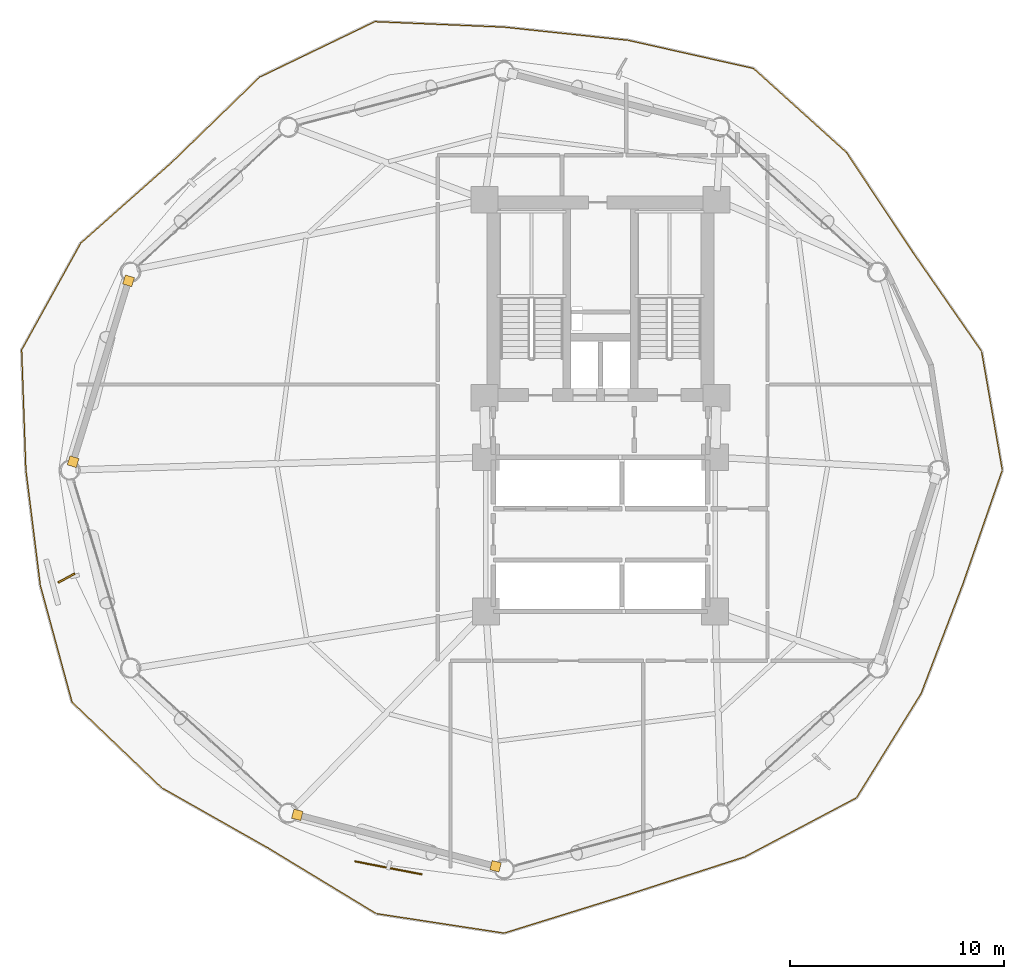
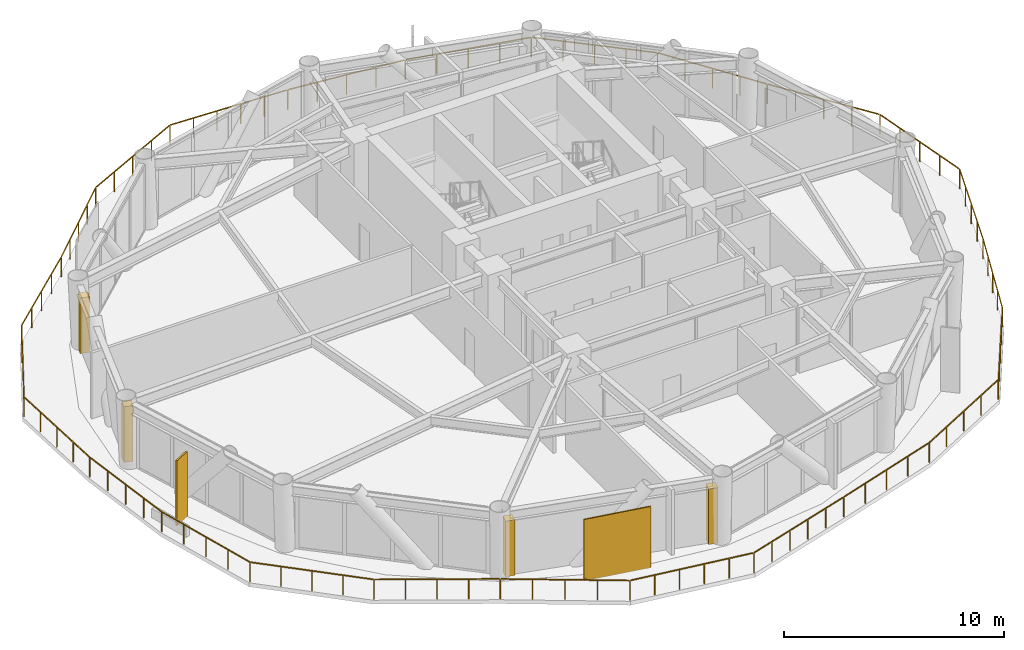
# One storey, part 21 of 23: 4 coverings, 2 shading devices, 1 railing.
"""IFC4 building model written with IfcOpenShell, lengths in metres."""

from ifc_helpers import new_model, si_unit, direction, frame, origin, origin_2d, place, context, subcontext, project, spatial, rectangle, extrude, source, transform, mapped, material, layer, layer_set, type_object, type_shapes, element, save


model = new_model("IFC4")

# Units and contexts
model_context = context("Model", 3, precision=1e-05, world=origin(), true_north=direction((0.0, 1.0)))
body_context = subcontext(model_context, "Body", "Model", "MODEL_VIEW")
ifc_project = project(units=[si_unit("LENGTHUNIT", "METRE"), si_unit("AREAUNIT", "SQUARE_METRE"), si_unit("VOLUMEUNIT", "CUBIC_METRE"), si_unit("PLANEANGLEUNIT", "RADIAN"), si_unit("MASSUNIT", "GRAM", prefix="KILO")], contexts=[model_context])

# Site, building, storey
site_placement = place(None, origin())
site = spatial("IfcSite", under=ifc_project, at=site_placement, CompositionType="ELEMENT")
building_placement = place(site_placement, origin())
building = spatial("IfcBuilding", under=site, at=building_placement, Name="Varnakorn Sky Granary", CompositionType="ELEMENT")
storey_placement = place(building_placement, frame((0.0, 0.0, 31.5)))
storey = spatial("IfcBuildingStorey", under=building, at=storey_placement, Name="L07", CompositionType="ELEMENT", Elevation=31.5)

# Railing
ifc_material = material(Name="Anodised Bronze Aluminium Alloy 6063-T6", Category="aluminium")
railing_type = type_object("IfcRailingType", Name="RL-BAL-1120", PredefinedType="BALUSTRADE", material=ifc_material)
railing_placement = place(storey_placement, frame((21.754638671875, 0.0, 0.0)))
element("IfcRailing", 1, at=railing_placement, inside=storey, type_object=railing_type, Name="Wavy Growing Deck Guard Balustrade L07", PredefinedType="BALUSTRADE", context=body_context, shape_type="SweptSolid", body=[
    extrude(rectangle(XDim=0.048095703125, YDim=0.048095703125, at=origin_2d()), frame((-0.0048828125, 0.027587890625, 1.09619140625), z_axis=(-0.171880830633, 0.985117749338, 0.0), x_axis=(-0.985117749338, -0.171880830633, 0.0)), (0.0, 0.0, 1.0), 5.575927734375),
    extrude(rectangle(XDim=0.048095703125, YDim=0.048095703125, at=origin_2d()), frame((-0.98388671875, 5.571044921875, 1.09619140625), z_axis=(-0.570288097111, 0.821444755473, 0.0), x_axis=(-0.821444755473, -0.570288097111, 0.0)), (0.0, 0.0, 1.0), 5.59375),
    extrude(rectangle(XDim=0.048095703125, YDim=0.048095703125, at=origin_2d()), frame((-4.205322265625, 10.21240234375, 1.09619140625), z_axis=(-0.553242326568, 0.833020364753, 0.0), x_axis=(-0.833020364753, -0.553242326568, 0.0)), (0.0, 0.0, 1.0), 5.51220703125),
    extrude(rectangle(XDim=0.048095703125, YDim=0.048095703125, at=origin_2d()), frame((-7.291259765625, 14.84619140625, 1.09619140625), z_axis=(-0.742004204153, 0.670395227474, 0.0), x_axis=(-0.670395227474, -0.742004204153, 0.0)), (0.0, 0.0, 1.0), 5.79443359375),
    extrude(rectangle(XDim=0.048095703125, YDim=0.048095703125, at=origin_2d()), frame((-11.638916015625, 18.755615234375, 1.09619140625), z_axis=(-0.975632446542, 0.219411324354, 0.0), x_axis=(-0.219411324354, -0.975632446542, 0.0)), (0.0, 0.0, 1.0), 5.93359375),
    extrude(rectangle(XDim=0.048095703125, YDim=0.048095703125, at=origin_2d()), frame((-17.483154296875, 20.066650390625, 1.09619140625), z_axis=(-0.994415397719, 0.105536802966, 0.0), x_axis=(-0.105536802966, -0.994415397719, 0.0)), (0.0, 0.0, 1.0), 5.77587890625),
    extrude(rectangle(XDim=0.048095703125, YDim=0.048095703125, at=origin_2d()), frame((-23.28271484375, 20.680419921875, 1.09619140625), z_axis=(-0.999105243841, 0.042293164106, 0.0), x_axis=(-0.042293164106, -0.999105243841, 0.0)), (0.0, 0.0, 1.0), 5.982177734375),
    extrude(rectangle(XDim=0.048095703125, YDim=0.048095703125, at=origin_2d()), frame((-29.3125, 20.92236328125, 1.09619140625), z_axis=(-0.900988048042, -0.433843908894, 0.0), x_axis=(0.433843908894, -0.900988048042, 0.0)), (0.0, 0.0, 1.0), 5.911865234375),
    extrude(rectangle(XDim=0.048095703125, YDim=0.048095703125, at=origin_2d()), frame((-34.684326171875, 18.325927734375, 1.09619140625), z_axis=(-0.71777568911, -0.696274414381, 0.0), x_axis=(0.696274414381, -0.71777568911, 0.0)), (0.0, 0.0, 1.0), 5.666748046875),
    extrude(rectangle(XDim=0.048095703125, YDim=0.048095703125, at=origin_2d()), frame((-38.79296875, 14.34228515625, 1.09619140625), z_axis=(-0.748089786911, -0.663597521635, 0.0), x_axis=(0.663597521635, -0.748089786911, 0.0)), (0.0, 0.0, 1.0), 5.621826171875),
    extrude(rectangle(XDim=0.048095703125, YDim=0.048095703125, at=origin_2d()), frame((-43.032958984375, 10.568603515625, 1.09619140625), z_axis=(-0.483879739651, -0.875134502551, 0.0), x_axis=(0.875134502551, -0.483879739651, 0.0)), (0.0, 0.0, 1.0), 5.63720703125),
    extrude(rectangle(XDim=0.048095703125, YDim=0.048095703125, at=origin_2d()), frame((-45.7734375, 5.58251953125, 1.09619140625), z_axis=(0.035354933544, -0.999374818911, 0.0), x_axis=(0.999374818911, 0.035354933544, 0.0)), (0.0, 0.0, 1.0), 5.55810546875),
    extrude(rectangle(XDim=0.048095703125, YDim=0.048095703125, at=origin_2d()), frame((-45.572509765625, -0.02783203125, 1.09619140625), z_axis=(0.124073548632, -0.992273024187, 0.0), x_axis=(0.992273024187, 0.124073548632, 0.0)), (0.0, 0.0, 1.0), 5.363037109375),
    extrude(rectangle(XDim=0.048095703125, YDim=0.048095703125, at=origin_2d()), frame((-44.896240234375, -5.404296875, 1.09619140625), z_axis=(0.262100201978, -0.965040664492, 0.0), x_axis=(0.965040664492, 0.262100201978, 0.0)), (0.0, 0.0, 1.0), 5.590576171875),
    extrude(rectangle(XDim=0.048095703125, YDim=0.048095703125, at=origin_2d()), frame((-43.4033203125, -10.845703125, 1.09619140625), z_axis=(0.722804848513, -0.691052205673, 0.0), x_axis=(0.691052205673, 0.722804848513, 0.0)), (0.0, 0.0, 1.0), 5.733642578125),
    extrude(rectangle(XDim=0.048095703125, YDim=0.048095703125, at=origin_2d()), frame((-39.21435546875, -14.841064453125, 1.09619140625), z_axis=(0.870278945521, -0.49255919135, 0.0), x_axis=(0.49255919135, 0.870278945521, 0.0)), (0.0, 0.0, 1.0), 5.664794921875),
    extrude(rectangle(XDim=0.048095703125, YDim=0.048095703125, at=origin_2d()), frame((-34.236083984375, -17.659912109375, 1.09619140625), z_axis=(0.85487418999, -0.518835348919, 0.0), x_axis=(0.518835348919, 0.85487418999, 0.0)), (0.0, 0.0, 1.0), 5.833984375),
    extrude(rectangle(XDim=0.048095703125, YDim=0.048095703125, at=origin_2d()), frame((-29.197265625, -20.705322265625, 1.09619140625), z_axis=(0.988542117285, -0.1509452959, 0.0), x_axis=(0.1509452959, 0.988542117285, 0.0)), (0.0, 0.0, 1.0), 5.9833984375),
    extrude(rectangle(XDim=0.048095703125, YDim=0.048095703125, at=origin_2d()), frame((-23.227783203125, -21.6044921875, 1.09619140625), z_axis=(0.954966098269, 0.296714932482, 0.0), x_axis=(-0.296714932482, 0.954966098269, 0.0)), (0.0, 0.0, 1.0), 5.951416015625),
    extrude(rectangle(XDim=0.048095703125, YDim=0.048095703125, at=origin_2d()), frame((-17.4912109375, -19.82177734375, 1.09619140625), z_axis=(0.951408146226, 0.307932686305, 0.0), x_axis=(-0.307932686305, 0.951408146226, 0.0)), (0.0, 0.0, 1.0), 5.72705078125),
    extrude(rectangle(XDim=0.048095703125, YDim=0.048095703125, at=origin_2d()), frame((-11.9912109375, -18.036376953125, 1.09619140625), z_axis=(0.884051677471, 0.467389165001, 0.0), x_axis=(-0.467389165001, 0.884051677471, 0.0)), (0.0, 0.0, 1.0), 5.83984375),
    extrude(rectangle(XDim=0.048095703125, YDim=0.048095703125, at=origin_2d()), frame((-6.7890625, -15.270263671875, 1.09619140625), z_axis=(0.526647909647, 0.850083513112, 0.0), x_axis=(-0.850083513112, 0.526647909647, 0.0)), (0.0, 0.0, 1.0), 5.6748046875),
    extrude(rectangle(XDim=0.048095703125, YDim=0.048095703125, at=origin_2d()), frame((-3.775634765625, -10.396240234375, 1.09619140625), z_axis=(0.35611605347, 0.934441735188, 0.0), x_axis=(-0.934441735188, 0.35611605347, 0.0)), (0.0, 0.0, 1.0), 5.409912109375),
    extrude(rectangle(XDim=0.048095703125, YDim=0.048095703125, at=origin_2d()), frame((-1.829833984375, -5.288330078125, 1.09619140625), z_axis=(0.327016628901, 0.945018584168, 0.0), x_axis=(-0.945018584168, 0.327016628901, 0.0)), (0.0, 0.0, 1.0), 5.56787109375),
    extrude(rectangle(XDim=0.0419921875, YDim=0.0419921875, at=origin_2d()), origin(), (0.0, 0.0, 1.0), 1.068115234375),
    extrude(rectangle(XDim=0.0419921875, YDim=0.0419921875, at=origin_2d()), frame((-0.241943359375, 1.386962890625, 0.0)), (0.0, 0.0, 1.0), 1.068115234375),
    extrude(rectangle(XDim=0.0419921875, YDim=0.0419921875, at=origin_2d()), frame((-0.48388671875, 2.77392578125, 0.0)), (0.0, 0.0, 1.0), 1.068115234375),
    extrude(rectangle(XDim=0.0419921875, YDim=0.0419921875, at=origin_2d()), frame((-0.72607421875, 4.1611328125, 0.0)), (0.0, 0.0, 1.0), 1.068115234375),
    extrude(rectangle(XDim=0.0419921875, YDim=0.0419921875, at=origin_2d()), frame((-0.968017578125, 5.548095703125, 0.0)), (0.0, 0.0, 1.0), 1.068115234375),
    extrude(rectangle(XDim=0.0419921875, YDim=0.0419921875, at=origin_2d()), frame((-1.7734375, 6.708251953125, 0.0)), (0.0, 0.0, 1.0), 1.068115234375),
    extrude(rectangle(XDim=0.0419921875, YDim=0.0419921875, at=origin_2d()), frame((-2.5791015625, 7.86865234375, 0.0)), (0.0, 0.0, 1.0), 1.068115234375),
    extrude(rectangle(XDim=0.0419921875, YDim=0.0419921875, at=origin_2d()), frame((-3.384521484375, 9.02880859375, 0.0)), (0.0, 0.0, 1.0), 1.068115234375),
    extrude(rectangle(XDim=0.0419921875, YDim=0.0419921875, at=origin_2d()), frame((-4.18994140625, 10.18896484375, 0.0)), (0.0, 0.0, 1.0), 1.068115234375),
    extrude(rectangle(XDim=0.0419921875, YDim=0.0419921875, at=origin_2d()), frame((-4.9599609375, 11.3486328125, 0.0)), (0.0, 0.0, 1.0), 1.068115234375),
    extrude(rectangle(XDim=0.0419921875, YDim=0.0419921875, at=origin_2d()), frame((-5.730224609375, 12.50830078125, 0.0)), (0.0, 0.0, 1.0), 1.068115234375),
    extrude(rectangle(XDim=0.0419921875, YDim=0.0419921875, at=origin_2d()), frame((-6.50048828125, 13.667724609375, 0.0)), (0.0, 0.0, 1.0), 1.068115234375),
    extrude(rectangle(XDim=0.0419921875, YDim=0.0419921875, at=origin_2d()), frame((-7.2705078125, 14.827392578125, 0.0)), (0.0, 0.0, 1.0), 1.068115234375),
    extrude(rectangle(XDim=0.0419921875, YDim=0.0419921875, at=origin_2d()), frame((-8.355712890625, 15.807861328125, 0.0)), (0.0, 0.0, 1.0), 1.068115234375),
    extrude(rectangle(XDim=0.0419921875, YDim=0.0419921875, at=origin_2d()), frame((-9.44091796875, 16.78857421875, 0.0)), (0.0, 0.0, 1.0), 1.068115234375),
    extrude(rectangle(XDim=0.0419921875, YDim=0.0419921875, at=origin_2d()), frame((-10.5263671875, 17.76904296875, 0.0)), (0.0, 0.0, 1.0), 1.068115234375),
    extrude(rectangle(XDim=0.0419921875, YDim=0.0419921875, at=origin_2d()), frame((-11.611572265625, 18.74951171875, 0.0)), (0.0, 0.0, 1.0), 1.068115234375),
    extrude(rectangle(XDim=0.0419921875, YDim=0.0419921875, at=origin_2d()), frame((-13.072509765625, 19.078125, 0.0)), (0.0, 0.0, 1.0), 1.068115234375),
    extrude(rectangle(XDim=0.0419921875, YDim=0.0419921875, at=origin_2d()), frame((-14.533447265625, 19.40673828125, 0.0)), (0.0, 0.0, 1.0), 1.068115234375),
    extrude(rectangle(XDim=0.0419921875, YDim=0.0419921875, at=origin_2d()), frame((-15.994384765625, 19.735107421875, 0.0)), (0.0, 0.0, 1.0), 1.068115234375),
    extrude(rectangle(XDim=0.0419921875, YDim=0.0419921875, at=origin_2d()), frame((-17.455322265625, 20.063720703125, 0.0)), (0.0, 0.0, 1.0), 1.068115234375),
    extrude(rectangle(XDim=0.0419921875, YDim=0.0419921875, at=origin_2d()), frame((-18.9052734375, 20.217529296875, 0.0)), (0.0, 0.0, 1.0), 1.068115234375),
    extrude(rectangle(XDim=0.0419921875, YDim=0.0419921875, at=origin_2d()), frame((-20.35498046875, 20.37158203125, 0.0)), (0.0, 0.0, 1.0), 1.068115234375),
    extrude(rectangle(XDim=0.0419921875, YDim=0.0419921875, at=origin_2d()), frame((-21.8046875, 20.525390625, 0.0)), (0.0, 0.0, 1.0), 1.068115234375),
    extrude(rectangle(XDim=0.0419921875, YDim=0.0419921875, at=origin_2d()), frame((-23.254638671875, 20.67919921875, 0.0)), (0.0, 0.0, 1.0), 1.068115234375),
    extrude(rectangle(XDim=0.0419921875, YDim=0.0419921875, at=origin_2d()), frame((-24.461181640625, 20.730224609375, 0.0)), (0.0, 0.0, 1.0), 1.068115234375),
    extrude(rectangle(XDim=0.0419921875, YDim=0.0419921875, at=origin_2d()), frame((-25.667724609375, 20.78125, 0.0)), (0.0, 0.0, 1.0), 1.068115234375),
    extrude(rectangle(XDim=0.0419921875, YDim=0.0419921875, at=origin_2d()), frame((-26.874267578125, 20.83251953125, 0.0)), (0.0, 0.0, 1.0), 1.068115234375),
    extrude(rectangle(XDim=0.0419921875, YDim=0.0419921875, at=origin_2d()), frame((-28.080810546875, 20.883544921875, 0.0)), (0.0, 0.0, 1.0), 1.068115234375),
    extrude(rectangle(XDim=0.0419921875, YDim=0.0419921875, at=origin_2d()), frame((-29.287353515625, 20.9345703125, 0.0)), (0.0, 0.0, 1.0), 1.068115234375),
    extrude(rectangle(XDim=0.0419921875, YDim=0.0419921875, at=origin_2d()), frame((-30.631591796875, 20.287353515625, 0.0)), (0.0, 0.0, 1.0), 1.068115234375),
    extrude(rectangle(XDim=0.0419921875, YDim=0.0419921875, at=origin_2d()), frame((-31.975830078125, 19.64013671875, 0.0)), (0.0, 0.0, 1.0), 1.068115234375),
    extrude(rectangle(XDim=0.0419921875, YDim=0.0419921875, at=origin_2d()), frame((-33.320068359375, 18.99267578125, 0.0)), (0.0, 0.0, 1.0), 1.068115234375),
    extrude(rectangle(XDim=0.0419921875, YDim=0.0419921875, at=origin_2d()), frame((-34.664306640625, 18.345458984375, 0.0)), (0.0, 0.0, 1.0), 1.068115234375),
    extrude(rectangle(XDim=0.0419921875, YDim=0.0419921875, at=origin_2d()), frame((-35.691162109375, 17.349365234375, 0.0)), (0.0, 0.0, 1.0), 1.068115234375),
    extrude(rectangle(XDim=0.0419921875, YDim=0.0419921875, at=origin_2d()), frame((-36.71826171875, 16.35302734375, 0.0)), (0.0, 0.0, 1.0), 1.068115234375),
    extrude(rectangle(XDim=0.0419921875, YDim=0.0419921875, at=origin_2d()), frame((-37.7451171875, 15.35693359375, 0.0)), (0.0, 0.0, 1.0), 1.068115234375),
    extrude(rectangle(XDim=0.0419921875, YDim=0.0419921875, at=origin_2d()), frame((-38.77197265625, 14.36083984375, 0.0)), (0.0, 0.0, 1.0), 1.068115234375),
    extrude(rectangle(XDim=0.0419921875, YDim=0.0419921875, at=origin_2d()), frame((-39.833984375, 13.4189453125, 0.0)), (0.0, 0.0, 1.0), 1.068115234375),
    extrude(rectangle(XDim=0.0419921875, YDim=0.0419921875, at=origin_2d()), frame((-40.895751953125, 12.47705078125, 0.0)), (0.0, 0.0, 1.0), 1.068115234375),
    extrude(rectangle(XDim=0.0419921875, YDim=0.0419921875, at=origin_2d()), frame((-41.95751953125, 11.534912109375, 0.0)), (0.0, 0.0, 1.0), 1.068115234375),
    extrude(rectangle(XDim=0.0419921875, YDim=0.0419921875, at=origin_2d()), frame((-43.01953125, 10.593017578125, 0.0)), (0.0, 0.0, 1.0), 1.068115234375),
    extrude(rectangle(XDim=0.0419921875, YDim=0.0419921875, at=origin_2d()), frame((-43.708251953125, 9.347412109375, 0.0)), (0.0, 0.0, 1.0), 1.068115234375),
    extrude(rectangle(XDim=0.0419921875, YDim=0.0419921875, at=origin_2d()), frame((-44.39697265625, 8.101806640625, 0.0)), (0.0, 0.0, 1.0), 1.068115234375),
    extrude(rectangle(XDim=0.0419921875, YDim=0.0419921875, at=origin_2d()), frame((-45.085693359375, 6.856201171875, 0.0)), (0.0, 0.0, 1.0), 1.068115234375),
    extrude(rectangle(XDim=0.0419921875, YDim=0.0419921875, at=origin_2d()), frame((-45.7744140625, 5.610595703125, 0.0)), (0.0, 0.0, 1.0), 1.068115234375),
    extrude(rectangle(XDim=0.0419921875, YDim=0.0419921875, at=origin_2d()), frame((-45.724853515625, 4.2080078125, 0.0)), (0.0, 0.0, 1.0), 1.068115234375),
    extrude(rectangle(XDim=0.0419921875, YDim=0.0419921875, at=origin_2d()), frame((-45.67529296875, 2.80517578125, 0.0)), (0.0, 0.0, 1.0), 1.068115234375),
    extrude(rectangle(XDim=0.0419921875, YDim=0.0419921875, at=origin_2d()), frame((-45.62548828125, 1.402587890625, 0.0)), (0.0, 0.0, 1.0), 1.068115234375),
    extrude(rectangle(XDim=0.0419921875, YDim=0.0419921875, at=origin_2d()), frame((-45.575927734375, 0.0, 0.0)), (0.0, 0.0, 1.0), 1.068115234375),
    extrude(rectangle(XDim=0.0419921875, YDim=0.0419921875, at=origin_2d()), frame((-45.40771484375, -1.34423828125, 0.0)), (0.0, 0.0, 1.0), 1.068115234375),
    extrude(rectangle(XDim=0.0419921875, YDim=0.0419921875, at=origin_2d()), frame((-45.23974609375, -2.6884765625, 0.0)), (0.0, 0.0, 1.0), 1.068115234375),
    extrude(rectangle(XDim=0.0419921875, YDim=0.0419921875, at=origin_2d()), frame((-45.07177734375, -4.032958984375, 0.0)), (0.0, 0.0, 1.0), 1.068115234375),
    extrude(rectangle(XDim=0.0419921875, YDim=0.0419921875, at=origin_2d()), frame((-44.903564453125, -5.377197265625, 0.0)), (0.0, 0.0, 1.0), 1.068115234375),
    extrude(rectangle(XDim=0.0419921875, YDim=0.0419921875, at=origin_2d()), frame((-44.53369140625, -6.739501953125, 0.0)), (0.0, 0.0, 1.0), 1.068115234375),
    extrude(rectangle(XDim=0.0419921875, YDim=0.0419921875, at=origin_2d()), frame((-44.16357421875, -8.101806640625, 0.0)), (0.0, 0.0, 1.0), 1.068115234375),
    extrude(rectangle(XDim=0.0419921875, YDim=0.0419921875, at=origin_2d()), frame((-43.79345703125, -9.464111328125, 0.0)), (0.0, 0.0, 1.0), 1.068115234375),
    extrude(rectangle(XDim=0.0419921875, YDim=0.0419921875, at=origin_2d()), frame((-43.423583984375, -10.826416015625, 0.0)), (0.0, 0.0, 1.0), 1.068115234375),
    extrude(rectangle(XDim=0.0419921875, YDim=0.0419921875, at=origin_2d()), frame((-42.37744140625, -11.82666015625, 0.0)), (0.0, 0.0, 1.0), 1.068115234375),
    extrude(rectangle(XDim=0.0419921875, YDim=0.0419921875, at=origin_2d()), frame((-41.3310546875, -12.826904296875, 0.0)), (0.0, 0.0, 1.0), 1.068115234375),
    extrude(rectangle(XDim=0.0419921875, YDim=0.0419921875, at=origin_2d()), frame((-40.284912109375, -13.8271484375, 0.0)), (0.0, 0.0, 1.0), 1.068115234375),
    extrude(rectangle(XDim=0.0419921875, YDim=0.0419921875, at=origin_2d()), frame((-39.23876953125, -14.827392578125, 0.0)), (0.0, 0.0, 1.0), 1.068115234375),
    extrude(rectangle(XDim=0.0419921875, YDim=0.0419921875, at=origin_2d()), frame((-37.994140625, -15.53173828125, 0.0)), (0.0, 0.0, 1.0), 1.068115234375),
    extrude(rectangle(XDim=0.0419921875, YDim=0.0419921875, at=origin_2d()), frame((-36.74951171875, -16.236328125, 0.0)), (0.0, 0.0, 1.0), 1.068115234375),
    extrude(rectangle(XDim=0.0419921875, YDim=0.0419921875, at=origin_2d()), frame((-35.504638671875, -16.94091796875, 0.0)), (0.0, 0.0, 1.0), 1.068115234375),
    extrude(rectangle(XDim=0.0419921875, YDim=0.0419921875, at=origin_2d()), frame((-34.260009765625, -17.645263671875, 0.0)), (0.0, 0.0, 1.0), 1.068115234375),
    extrude(rectangle(XDim=0.0419921875, YDim=0.0419921875, at=origin_2d()), frame((-33.001220703125, -18.4091796875, 0.0)), (0.0, 0.0, 1.0), 1.068115234375),
    extrude(rectangle(XDim=0.0419921875, YDim=0.0419921875, at=origin_2d()), frame((-31.742431640625, -19.17333984375, 0.0)), (0.0, 0.0, 1.0), 1.068115234375),
    extrude(rectangle(XDim=0.0419921875, YDim=0.0419921875, at=origin_2d()), frame((-30.483642578125, -19.937255859375, 0.0)), (0.0, 0.0, 1.0), 1.068115234375),
    extrude(rectangle(XDim=0.0419921875, YDim=0.0419921875, at=origin_2d()), frame((-29.224853515625, -20.701171875, 0.0)), (0.0, 0.0, 1.0), 1.068115234375),
    extrude(rectangle(XDim=0.0419921875, YDim=0.0419921875, at=origin_2d()), frame((-28.03076171875, -20.883544921875, 0.0)), (0.0, 0.0, 1.0), 1.068115234375),
    extrude(rectangle(XDim=0.0419921875, YDim=0.0419921875, at=origin_2d()), frame((-26.836669921875, -21.06591796875, 0.0)), (0.0, 0.0, 1.0), 1.068115234375),
    extrude(rectangle(XDim=0.0419921875, YDim=0.0419921875, at=origin_2d()), frame((-25.642822265625, -21.248046875, 0.0)), (0.0, 0.0, 1.0), 1.068115234375),
    extrude(rectangle(XDim=0.0419921875, YDim=0.0419921875, at=origin_2d()), frame((-24.44873046875, -21.430419921875, 0.0)), (0.0, 0.0, 1.0), 1.068115234375),
    extrude(rectangle(XDim=0.0419921875, YDim=0.0419921875, at=origin_2d()), frame((-23.254638671875, -21.61279296875, 0.0)), (0.0, 0.0, 1.0), 1.068115234375),
    extrude(rectangle(XDim=0.0419921875, YDim=0.0419921875, at=origin_2d()), frame((-22.107177734375, -21.25634765625, 0.0)), (0.0, 0.0, 1.0), 1.068115234375),
    extrude(rectangle(XDim=0.0419921875, YDim=0.0419921875, at=origin_2d()), frame((-20.9599609375, -20.89990234375, 0.0)), (0.0, 0.0, 1.0), 1.068115234375),
    extrude(rectangle(XDim=0.0419921875, YDim=0.0419921875, at=origin_2d()), frame((-19.8125, -20.543212890625, 0.0)), (0.0, 0.0, 1.0), 1.068115234375),
    extrude(rectangle(XDim=0.0419921875, YDim=0.0419921875, at=origin_2d()), frame((-18.665283203125, -20.186767578125, 0.0)), (0.0, 0.0, 1.0), 1.068115234375),
    extrude(rectangle(XDim=0.0419921875, YDim=0.0419921875, at=origin_2d()), frame((-17.517822265625, -19.830322265625, 0.0)), (0.0, 0.0, 1.0), 1.068115234375),
    extrude(rectangle(XDim=0.0419921875, YDim=0.0419921875, at=origin_2d()), frame((-16.142333984375, -19.38525390625, 0.0)), (0.0, 0.0, 1.0), 1.068115234375),
    extrude(rectangle(XDim=0.0419921875, YDim=0.0419921875, at=origin_2d()), frame((-14.766845703125, -18.93994140625, 0.0)), (0.0, 0.0, 1.0), 1.068115234375),
    extrude(rectangle(XDim=0.0419921875, YDim=0.0419921875, at=origin_2d()), frame((-13.391357421875, -18.49462890625, 0.0)), (0.0, 0.0, 1.0), 1.068115234375),
    extrude(rectangle(XDim=0.0419921875, YDim=0.0419921875, at=origin_2d()), frame((-12.015869140625, -18.049560546875, 0.0)), (0.0, 0.0, 1.0), 1.068115234375),
    extrude(rectangle(XDim=0.0419921875, YDim=0.0419921875, at=origin_2d()), frame((-10.712890625, -17.360595703125, 0.0)), (0.0, 0.0, 1.0), 1.068115234375),
    extrude(rectangle(XDim=0.0419921875, YDim=0.0419921875, at=origin_2d()), frame((-9.40966796875, -16.671875, 0.0)), (0.0, 0.0, 1.0), 1.068115234375),
    extrude(rectangle(XDim=0.0419921875, YDim=0.0419921875, at=origin_2d()), frame((-8.106689453125, -15.98291015625, 0.0)), (0.0, 0.0, 1.0), 1.068115234375),
    extrude(rectangle(XDim=0.0419921875, YDim=0.0419921875, at=origin_2d()), frame((-6.8037109375, -15.2939453125, 0.0)), (0.0, 0.0, 1.0), 1.068115234375),
    extrude(rectangle(XDim=0.0419921875, YDim=0.0419921875, at=origin_2d()), frame((-6.04931640625, -14.076171875, 0.0)), (0.0, 0.0, 1.0), 1.068115234375),
    extrude(rectangle(XDim=0.0419921875, YDim=0.0419921875, at=origin_2d()), frame((-5.294677734375, -12.858154296875, 0.0)), (0.0, 0.0, 1.0), 1.068115234375),
    extrude(rectangle(XDim=0.0419921875, YDim=0.0419921875, at=origin_2d()), frame((-4.5400390625, -11.64013671875, 0.0)), (0.0, 0.0, 1.0), 1.068115234375),
    extrude(rectangle(XDim=0.0419921875, YDim=0.0419921875, at=origin_2d()), frame((-3.78564453125, -10.42236328125, 0.0)), (0.0, 0.0, 1.0), 1.068115234375),
    extrude(rectangle(XDim=0.0419921875, YDim=0.0419921875, at=origin_2d()), frame((-3.299072265625, -9.1455078125, 0.0)), (0.0, 0.0, 1.0), 1.068115234375),
    extrude(rectangle(XDim=0.0419921875, YDim=0.0419921875, at=origin_2d()), frame((-2.8125, -7.86865234375, 0.0)), (0.0, 0.0, 1.0), 1.068115234375),
    extrude(rectangle(XDim=0.0419921875, YDim=0.0419921875, at=origin_2d()), frame((-2.32568359375, -6.591552734375, 0.0)), (0.0, 0.0, 1.0), 1.068115234375),
    extrude(rectangle(XDim=0.0419921875, YDim=0.0419921875, at=origin_2d()), frame((-1.839111328125, -5.314697265625, 0.0)), (0.0, 0.0, 1.0), 1.068115234375),
    extrude(rectangle(XDim=0.0419921875, YDim=0.0419921875, at=origin_2d()), frame((-1.37939453125, -3.986083984375, 0.0)), (0.0, 0.0, 1.0), 1.068115234375),
    extrude(rectangle(XDim=0.0419921875, YDim=0.0419921875, at=origin_2d()), frame((-0.91943359375, -2.6572265625, 0.0)), (0.0, 0.0, 1.0), 1.068115234375),
    extrude(rectangle(XDim=0.0419921875, YDim=0.0419921875, at=origin_2d()), frame((-0.459716796875, -1.32861328125, 0.0)), (0.0, 0.0, 1.0), 1.068115234375),
])

# Shading device
shading_device_type_1 = type_object("IfcShadingDeviceType", Name="SH-FIN-01", PredefinedType="USERDEFINED", material=ifc_material)
shared_shape_1 = source(origin(), body_context, "Body", "SweptSolid", [
    extrude(rectangle(XDim=0.0849609375, YDim=0.8798828125, at=origin_2d()), origin(), (0.0, 0.0, 1.0), 3.60009765625),
])
type_shapes(shading_device_type_1, [shared_shape_1])
shading_device_1_placement = place(storey_placement, frame((-21.92529296875, -5.037109375, -0.0400390625), z_axis=(0.0, 0.0, 1.0), x_axis=(0.469761937466, -0.882793136645, 0.0)))
element("IfcShadingDevice", 2, at=shading_device_1_placement, inside=storey, type_object=shading_device_type_1, Name="Bronze Solar-Tracking Vertical Blade FIN L07-07", ObjectType="FIN", PredefinedType="USERDEFINED", context=body_context, shape_type="MappedRepresentation", body=[
    mapped(shared_shape_1, transform((0.0, 0.0, 0.0), x_axis=(1.0, 0.0, 0.0), y_axis=(0.0, 1.0, 0.0), z_axis=(0.0, 0.0, 1.0), scale=1.0)),
])

# Coverings
ifc_layer = layer(ifc_material, 0.050048828125, Name="Anodised Bronze Aluminium Alloy 6063-T6")
ifc_layer_set = layer_set([ifc_layer], Name="Anodised Bronze Aluminium Alloy 6063-T6")
covering_type = type_object("IfcCoveringType", Name="CV-CLAD-50", PredefinedType="CLADDING", material=ifc_layer_set)
shared_shape_2 = source(origin(), body_context, "Body", "SweptSolid", [
    extrude(rectangle(XDim=0.43994140625, YDim=0.43994140625, at=origin_2d()), origin(), (0.0, 0.0, 1.0), 3.080078125),
])
type_shapes(covering_type, [shared_shape_2])
for number, where, z_axis, x_axis, name in (
    (3, (-21.6171875, 0.393798828125, -0.02001953125), (0.0, 0.0, 1.0), (0.293039260085, 0.956100408978, 0.0), "Bronze Corner Pilaster Closure L07-P06-A"),
    (4, (-19.030517578125, 8.836669921875, -0.02001953125), (0.0, 0.0, 1.0), (0.293039260085, 0.956100408978, 0.0), "Bronze Corner Pilaster Closure L07-P06-B"),
    (5, (-1.898681640625, -18.492431640625, -0.02001953125), (0.0, 0.0, 1.0), (-0.96792877399, 0.251224776808, 0.0), "Bronze Corner Pilaster Closure L07-P09-A"),
    (6, (-11.152587890625, -16.09130859375, -0.02001953125), (0.0, 0.0, 1.0), (-0.96792877399, 0.251224776808, 0.0), "Bronze Corner Pilaster Closure L07-P09-B"),
):
    element("IfcCovering", number, at=place(storey_placement, frame(where, z_axis=z_axis, x_axis=x_axis)), inside=storey, type_object=covering_type, Name=name, PredefinedType="CLADDING", context=body_context, shape_type="MappedRepresentation", body=[
        mapped(shared_shape_2, transform((0.0, 0.0, 0.0), x_axis=(1.0, 0.0, 0.0), y_axis=(0.0, 1.0, 0.0), z_axis=(0.0, 0.0, 1.0), scale=1.0)),
    ])

# Shading device
shading_device_type_2 = type_object("IfcShadingDeviceType", Name="SH-SCR-01", PredefinedType="USERDEFINED", material=ifc_material)
shared_shape_3 = source(origin(), body_context, "Body", "SweptSolid", [
    extrude(rectangle(XDim=3.199951171875, YDim=0.06494140625, at=origin_2d()), origin(), (0.0, 0.0, 1.0), 3.39990234375),
])
type_shapes(shading_device_type_2, [shared_shape_3])
shading_device_2_placement = place(storey_placement, frame((-6.90478515625, -18.564697265625, -0.0400390625), z_axis=(0.0, 0.0, 1.0), x_axis=(0.981687877727, -0.190496484809, 0.0)))
element("IfcShadingDevice", 7, at=shading_device_2_placement, inside=storey, type_object=shading_device_type_2, Name="Perforated Bronze Solar Screen Panel SCREEN L07-09", ObjectType="SCREEN", PredefinedType="USERDEFINED", context=body_context, shape_type="MappedRepresentation", body=[
    mapped(shared_shape_3, transform((0.0, 0.0, 0.0), x_axis=(1.0, 0.0, 0.0), y_axis=(0.0, 1.0, 0.0), z_axis=(0.0, 0.0, 1.0), scale=1.0)),
])

save(model, "model.ifc")
